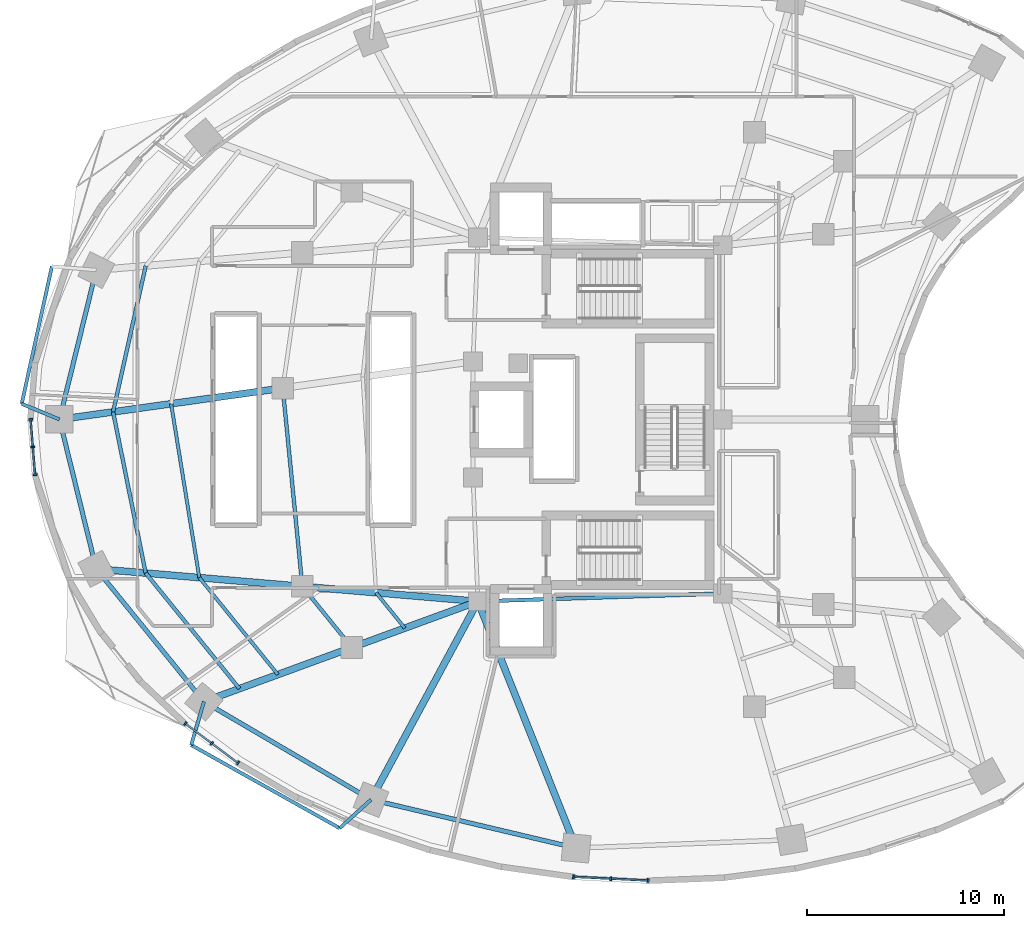
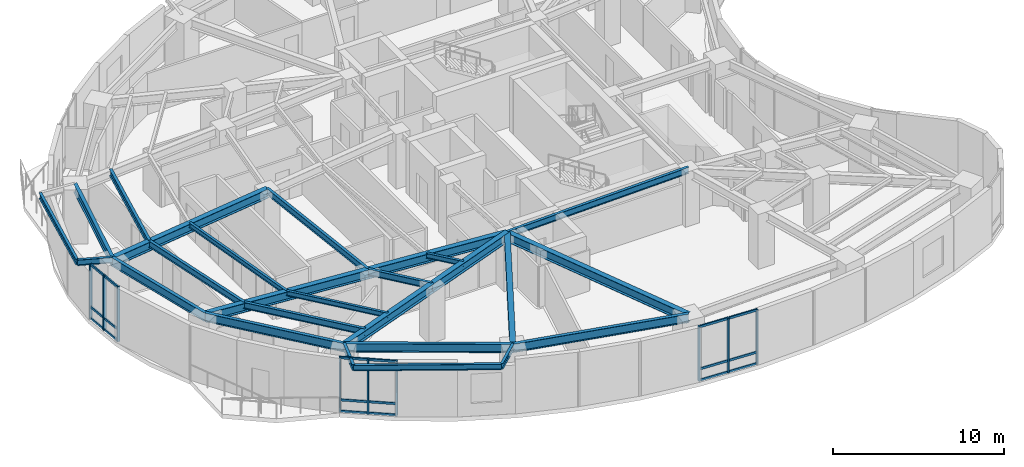
# One storey, part 2 of 15: 27 members, 26 beams, 3 elements without a shape of their own.
"""IFC4 building model written with IfcOpenShell, lengths in metres."""

import ifcopenshell
import ifcopenshell.guid

model = None  # the IFC model being written
_history = None  # IfcOwnerHistory: only IFC2X3 demands one
_inside = {}  # id of a spatial element -> (the spatial element, [elements in it])
_under = {}  # id of a project, library or spatial element -> (it, [spatial elements below it])
_declared = {}  # id of a project -> (the project, [libraries it declares])
_typed = {}  # id of a type object -> (the type object, [elements of that type])
_made_of = {}  # id of a material, layer set ... -> (it, [elements and type objects made of it])


def new_model(schema):
    """Start an empty IFC model of exactly this schema.

    Asked for "IFC4X3", IfcOpenShell would pick the latest addendum, in which some entities
    have other attributes; the version numbers below select the first issue.
    IFC2X3 requires an IfcOwnerHistory on every rooted entity: one is made here for all.
    """
    global model, _history
    if schema == "IFC4X3":
        model = ifcopenshell.file(schema_version=(4, 3, 0, 0))
    else:
        model = ifcopenshell.file(schema=schema)
    _inside.clear()
    _under.clear()
    _declared.clear()
    _typed.clear()
    _made_of.clear()
    _history = None
    if model.schema == "IFC2X3":
        org = make("IfcOrganization", Name="unknown")
        user = make(
            "IfcPersonAndOrganization",
            ThePerson=make("IfcPerson", FamilyName="unknown"),
            TheOrganization=org,
        )
        app = make(
            "IfcApplication",
            ApplicationDeveloper=org,
            Version="unknown",
            ApplicationFullName="unknown",
            ApplicationIdentifier="unknown",
        )
        _history = make(
            "IfcOwnerHistory",
            OwningUser=user,
            OwningApplication=app,
            ChangeAction="ADDED",
            CreationDate=0,
        )
    return model


def make(cls, **values):
    """One entity of the class cls with the attributes given. An attribute that is None is left unset."""
    return model.create_entity(
        cls, **{name: value for name, value in values.items() if value is not None}
    )


def rooted(cls, **values):
    """An entity with a GlobalId (a new one), such as an element, a storey or a relation."""
    return make(cls, GlobalId=ifcopenshell.guid.new(), OwnerHistory=_history, **values)


def si_unit(unit_type, name, prefix=None):
    """IfcSIUnit, for example si_unit("LENGTHUNIT", "METRE", prefix="MILLI")."""
    return make("IfcSIUnit", UnitType=unit_type, Prefix=prefix, Name=name)


def assignment(units):
    """IfcUnitAssignment: the units of a project."""
    return None if units is None else make("IfcUnitAssignment", Units=units)


def point(xyz):
    """IfcCartesianPoint."""
    return None if xyz is None else make("IfcCartesianPoint", Coordinates=xyz)


def direction(xyz):
    """IfcDirection."""
    return None if xyz is None else make("IfcDirection", DirectionRatios=xyz)


def frame(location, z_axis=None, x_axis=None):
    """IfcAxis2Placement3D, a coordinate frame: its origin and axes. An axis left out is left unset."""
    return make(
        "IfcAxis2Placement3D",
        Location=point(location),
        Axis=direction(z_axis),
        RefDirection=direction(x_axis),
    )


def frame_2d(location, x_axis=None):
    """IfcAxis2Placement2D, a coordinate frame in the plane: its origin and x axis."""
    return make(
        "IfcAxis2Placement2D", Location=point(location), RefDirection=direction(x_axis)
    )


def origin():
    """The frame at (0, 0, 0) with its axes left unset."""
    return frame((0.0, 0.0, 0.0))


def origin_2d():
    """The frame at (0, 0) in the plane with its x axis left unset."""
    return frame_2d((0.0, 0.0))


def place(relative_to, where):
    """IfcLocalPlacement: puts the frame where relative to a parent placement (None: the world)."""
    return make(
        "IfcLocalPlacement", PlacementRelTo=relative_to, RelativePlacement=where
    )


def context(
    kind, dimensions, precision=None, world=None, true_north=None, identifier=None
):
    """IfcGeometricRepresentationContext, for example the 3D "Model" context."""
    return make(
        "IfcGeometricRepresentationContext",
        ContextIdentifier=identifier,
        ContextType=kind,
        CoordinateSpaceDimension=dimensions,
        Precision=precision,
        WorldCoordinateSystem=world,
        TrueNorth=true_north,
    )


def subcontext(parent, identifier, kind, view, scale=None):
    """IfcGeometricRepresentationSubContext, for example "Body" below "Model"."""
    return make(
        "IfcGeometricRepresentationSubContext",
        ContextIdentifier=identifier,
        ContextType=kind,
        ParentContext=parent,
        TargetScale=scale,
        TargetView=view,
    )


def project(units=None, contexts=None):
    """IfcProject with its units and contexts."""
    return rooted(
        "IfcProject",
        Name="project",
        RepresentationContexts=contexts,
        UnitsInContext=assignment(units),
    )


def spatial(cls, under=None, at=None, **own):
    """A site, building, storey or space (cls), placed at a placement, below another one or the project."""
    s = rooted(cls, ObjectPlacement=at, **own)
    if under is not None:
        _under.setdefault(under.id(), (under, []))[1].append(s)
    return s


def profile(cls, at=None, kind="AREA", **sizes):
    """A parametric profile (cls). Its sizes go by their IFC names, for example OverallWidth=200.0."""
    return make(cls, ProfileType=kind, Position=at, **sizes)


def rectangle(**sizes):
    """IfcRectangleProfileDef."""
    return profile("IfcRectangleProfileDef", **sizes)


def i_section(**sizes):
    """IfcIShapeProfileDef."""
    return profile("IfcIShapeProfileDef", **sizes)


def extrude(swept, where, along, depth):
    """IfcExtrudedAreaSolid: the profile swept, set in the frame where, extruded along a direction by depth."""
    return make(
        "IfcExtrudedAreaSolid",
        SweptArea=swept,
        Position=where,
        ExtrudedDirection=direction(along),
        Depth=depth,
    )


def shape(context_of_items, identifier, shape_type, items):
    """IfcShapeRepresentation: the items that make up one representation, for example the "Body"."""
    return make(
        "IfcShapeRepresentation",
        ContextOfItems=context_of_items,
        RepresentationIdentifier=identifier,
        RepresentationType=shape_type,
        Items=items,
    )


def material(Name=None, Category=None):
    """IfcMaterial."""
    return make("IfcMaterial", Name=Name, Category=Category)


def layer(
    of_material, thickness, ventilated=None, Name=None, Category=None, Priority=None
):
    """IfcMaterialLayer: one layer of a wall or slab, of a material (None: an air gap)."""
    return make(
        "IfcMaterialLayer",
        Material=of_material,
        LayerThickness=thickness,
        IsVentilated=ventilated,
        Name=Name,
        Category=Category,
        Priority=Priority,
    )


def layer_set(layers, Name=None):
    """IfcMaterialLayerSet."""
    return make("IfcMaterialLayerSet", MaterialLayers=layers, LayerSetName=Name)


def material_profile(
    of_material, cross_section, Name=None, Category=None, Priority=None
):
    """IfcMaterialProfile: a cross section and its material."""
    return make(
        "IfcMaterialProfile",
        Name=Name,
        Material=of_material,
        Profile=cross_section,
        Priority=Priority,
        Category=Category,
    )


def profile_set(profiles, Name=None, composite=None):
    """IfcMaterialProfileSet."""
    return make(
        "IfcMaterialProfileSet",
        Name=Name,
        MaterialProfiles=profiles,
        CompositeProfile=composite,
    )


def made_of(thing, what):
    """Note that an element or type object is made of a material, layer set ...; save() writes the relation."""
    if what is not None:
        _made_of.setdefault(what.id(), (what, []))[1].append(thing)
    return thing


def type_object(cls, material=None, **own):
    """A type object (cls), such as IfcWallType, which elements share."""
    return made_of(rooted(cls, **own), material)


def element(
    cls,
    number,
    at=None,
    inside=None,
    cuts=None,
    type_object=None,
    material=None,
    context=None,
    identifier="Body",
    shape_type=None,
    held_by="IfcProductDefinitionShape",
    body=None,
    shapes=None,
    **own,
):
    """One element of the class cls, such as IfcWall. Its Tag is "e" and its number.

    at: its placement. inside: the storey or other place that contains it. cuts: it is an
    opening in that element (IfcRelVoidsElement). A single representation is given by context,
    identifier, shape_type and body (its items); several are given by shapes. held_by: the class
    of the entity that holds the representations. save() writes the other relations.
    """
    e = rooted(cls, Tag="e%d" % number, ObjectPlacement=at, **own)
    if body is not None:
        shapes = [shape(context, identifier, shape_type, body)]
    if shapes is not None:
        e.Representation = make(held_by, Representations=shapes)
    if inside is not None:
        _inside.setdefault(inside.id(), (inside, []))[1].append(e)
    if cuts is not None:
        rooted(
            "IfcRelVoidsElement", RelatingBuildingElement=cuts, RelatedOpeningElement=e
        )
    if type_object is not None:
        _typed.setdefault(type_object.id(), (type_object, []))[1].append(e)
    return made_of(e, material)


def aggregate(whole, parts):
    """IfcRelAggregates: a whole, such as a stair, and the parts it consists of."""
    return rooted("IfcRelAggregates", RelatingObject=whole, RelatedObjects=parts)


def save(model, path):
    """Write the relations noted so far, then the file.

    IfcRelAggregates (storeys below a building ...), IfcRelContainedInSpatialStructure (elements
    in a storey), IfcRelDefinesByType, IfcRelAssociatesMaterial and IfcRelDeclares: one each for
    every whole, place, type object, material and project.
    """
    for whole, parts in _under.values():
        aggregate(whole, parts)
    for where, things in _inside.values():
        rooted(
            "IfcRelContainedInSpatialStructure",
            RelatedElements=things,
            RelatingStructure=where,
        )
    for kind, things in _typed.values():
        rooted("IfcRelDefinesByType", RelatedObjects=things, RelatingType=kind)
    for what, things in _made_of.values():
        rooted("IfcRelAssociatesMaterial", RelatedObjects=things, RelatingMaterial=what)
    for by, libraries in _declared.values():
        rooted("IfcRelDeclares", RelatingContext=by, RelatedDefinitions=libraries)
    model.write(path)


model = new_model("IFC4")

# Units and contexts
model_context = context("Model", 3, precision=1e-05, world=origin(), true_north=direction((0.0, 1.0)))
body_context = subcontext(model_context, "Body", "Model", "MODEL_VIEW")
ifc_project = project(units=[si_unit("LENGTHUNIT", "METRE"), si_unit("AREAUNIT", "SQUARE_METRE"), si_unit("VOLUMEUNIT", "CUBIC_METRE"), si_unit("PLANEANGLEUNIT", "RADIAN"), si_unit("MASSUNIT", "GRAM", prefix="KILO")], contexts=[model_context])

# Site, building, storey
site_placement = place(None, origin())
site = spatial("IfcSite", under=ifc_project, at=site_placement, CompositionType="ELEMENT")
building_placement = place(site_placement, origin())
building = spatial("IfcBuilding", under=site, at=building_placement, Name="Korentha Bioscience Tower", CompositionType="ELEMENT")
storey_placement = place(building_placement, frame((0.0, 0.0, 30.0)))
storey = spatial("IfcBuildingStorey", under=building, at=storey_placement, Name="L06", CompositionType="ELEMENT", Elevation=30.0)

# Beams
ifc_material_1 = material(Name="Steel S355", Category="steel")
ifc_material_profile_1 = material_profile(ifc_material_1, i_section(OverallWidth=0.18994140625, OverallDepth=0.45703125, WebThickness=0.009033203125, FlangeThickness=0.014404296875, at=origin_2d()), Name="Steel S355")
ifc_profile_set_1 = profile_set([ifc_material_profile_1], Name="Steel S355 (MB-460)")
beam_type_1 = type_object("IfcBeamType", Name="Mid-Ring Tie Girder W460x74", PredefinedType="BEAM", material=ifc_profile_set_1)
beam_1_placement = place(storey_placement, frame((15.1787109375, 28.593505859375, 3.67138671875), z_axis=(0.098243909277, -0.995162365793, 0.0), x_axis=(0.995162365793, 0.098243909277, 0.0)))
element("IfcBeam", 1, at=beam_1_placement, inside=storey, type_object=beam_type_1, Name="L06 Mid-Ring Tie Girder 07", PredefinedType="BEAM", context=body_context, shape_type="SweptSolid", body=[
    extrude(i_section(OverallWidth=0.18994140625, OverallDepth=0.45703125, WebThickness=0.009033203125, FlangeThickness=0.014404296875, at=origin_2d()), origin(), (0.0, 0.0, 1.0), 10.131591796875),
])
beam_2_placement = place(storey_placement, frame((16.174072265625, 18.510986328125, 3.67138671875), z_axis=(0.629790009744, -0.776765436684, 0.0), x_axis=(0.776765436684, 0.629790009744, 0.0)))
element("IfcBeam", 2, at=beam_2_placement, inside=storey, type_object=beam_type_1, Name="L06 Mid-Ring Tie Girder 08", PredefinedType="BEAM", context=body_context, shape_type="SweptSolid", body=[
    extrude(i_section(OverallWidth=0.18994140625, OverallDepth=0.45703125, WebThickness=0.009033203125, FlangeThickness=0.014404296875, at=origin_2d()), origin(), (0.0, 0.0, 1.0), 3.998291015625),
])
beam_3_placement = place(storey_placement, frame((25.10009765625, 17.75, 3.67138671875), z_axis=(0.999484526071, 0.032104238723, 0.0), x_axis=(-0.032104238723, 0.999484526071, 0.0)))
element("IfcBeam", 3, at=beam_3_placement, inside=storey, type_object=beam_type_1, Name="L06 Core Ring Tie Girder 05", PredefinedType="BEAM", context=body_context, shape_type="SweptSolid", body=[
    extrude(i_section(OverallWidth=0.18994140625, OverallDepth=0.45703125, WebThickness=0.009033203125, FlangeThickness=0.014404296875, at=origin_2d()), origin(), (0.0, 0.0, 1.0), 12.456298828125),
])

# Curtain wall, members
ifc_material_2 = material(Name="Thermally Broken Aluminium Frame", Category="aluminium")
ifc_layer = layer(ifc_material_2, 0.219970703125, Name="Thermally Broken Aluminium Frame")
ifc_layer_set = layer_set([ifc_layer], Name="Thermally Broken Aluminium Frame (CW-T1)")
curtain_wall_type = type_object("IfcCurtainWallType", Name="Standard Bioscience Lab Unitised Curtain Wall CW-T1", PredefinedType="USERDEFINED", material=ifc_layer_set)
curtain_wall_1_placement = place(storey_placement, origin())
curtain_wall_1 = element("IfcCurtainWall", 4, at=curtain_wall_1_placement, inside=storey, type_object=curtain_wall_type, Name="L06 Curtain Wall 19", ObjectType="UNITISED", PredefinedType="USERDEFINED")
ifc_material_3 = material(Name="Anodised Aluminium 6063-T6", Category="aluminium")
ifc_material_profile_2 = material_profile(ifc_material_3, rectangle(XDim=0.090087890625, YDim=0.199951171875, at=origin_2d()), Name="Anodised Aluminium 6063-T6")
ifc_profile_set_2 = profile_set([ifc_material_profile_2], Name="Anodised Aluminium 6063-T6 (CW-MUL)")
member_type_1 = type_object("IfcMemberType", Name="Mullion RECT 90x200", PredefinedType="MULLION", material=ifc_profile_set_2)
member_1_placement = place(storey_placement, frame((2.35986328125, 27.0078125, 0.0), z_axis=(0.0, 0.0, 1.0), x_axis=(0.080820466375, -0.996728675325, 0.0)))
member_1 = element("IfcMember", 5, at=member_1_placement, type_object=member_type_1, Name="CW-L06-19 Mullion 1", PredefinedType="MULLION", context=body_context, shape_type="SweptSolid", body=[
    extrude(rectangle(XDim=0.090087890625, YDim=0.199951171875, at=origin_2d()), origin(), (0.0, 0.0, 1.0), 3.89990234375),
])
member_2_placement = place(storey_placement, frame((2.474365234375, 25.597412109375, 0.0), z_axis=(0.0, 0.0, 1.0), x_axis=(0.080820466375, -0.996728675325, 0.0)))
member_2 = element("IfcMember", 6, at=member_2_placement, type_object=member_type_1, Name="CW-L06-19 Mullion 2", PredefinedType="MULLION", context=body_context, shape_type="SweptSolid", body=[
    extrude(rectangle(XDim=0.090087890625, YDim=0.199951171875, at=origin_2d()), origin(), (0.0, 0.0, 1.0), 3.89990234375),
])
member_3_placement = place(storey_placement, frame((2.588623046875, 24.187255859375, 0.0), z_axis=(0.0, 0.0, 1.0), x_axis=(0.080820466375, -0.996728675325, 0.0)))
member_3 = element("IfcMember", 7, at=member_3_placement, type_object=member_type_1, Name="CW-L06-19 Mullion 3", PredefinedType="MULLION", context=body_context, shape_type="SweptSolid", body=[
    extrude(rectangle(XDim=0.090087890625, YDim=0.199951171875, at=origin_2d()), origin(), (0.0, 0.0, 1.0), 3.89990234375),
])

curtain_wall_2_placement = place(storey_placement, origin())
curtain_wall_2 = element("IfcCurtainWall", 8, at=curtain_wall_2_placement, inside=storey, type_object=curtain_wall_type, Name="L06 Curtain Wall 25", ObjectType="UNITISED", PredefinedType="USERDEFINED")
member_4_placement = place(storey_placement, frame((10.2216796875, 11.538818359375, 0.0), z_axis=(0.0, 0.0, 1.0), x_axis=(0.800797909614, -0.598934644145, 0.0)))
member_4 = element("IfcMember", 9, at=member_4_placement, type_object=member_type_1, Name="CW-L06-25 Mullion 1", PredefinedType="MULLION", context=body_context, shape_type="SweptSolid", body=[
    extrude(rectangle(XDim=0.090087890625, YDim=0.199951171875, at=origin_2d()), origin(), (0.0, 0.0, 1.0), 3.89990234375),
])
member_5_placement = place(storey_placement, frame((11.5634765625, 10.53515625, 0.0), z_axis=(0.0, 0.0, 1.0), x_axis=(0.800797909614, -0.598934644145, 0.0)))
member_5 = element("IfcMember", 10, at=member_5_placement, type_object=member_type_1, Name="CW-L06-25 Mullion 2", PredefinedType="MULLION", context=body_context, shape_type="SweptSolid", body=[
    extrude(rectangle(XDim=0.090087890625, YDim=0.199951171875, at=origin_2d()), origin(), (0.0, 0.0, 1.0), 3.89990234375),
])
member_6_placement = place(storey_placement, frame((12.9052734375, 9.53173828125, 0.0), z_axis=(0.0, 0.0, 1.0), x_axis=(0.800797909614, -0.598934644145, 0.0)))
member_6 = element("IfcMember", 11, at=member_6_placement, type_object=member_type_1, Name="CW-L06-25 Mullion 3", PredefinedType="MULLION", context=body_context, shape_type="SweptSolid", body=[
    extrude(rectangle(XDim=0.090087890625, YDim=0.199951171875, at=origin_2d()), origin(), (0.0, 0.0, 1.0), 3.89990234375),
])

curtain_wall_3_placement = place(storey_placement, origin())
curtain_wall_3 = element("IfcCurtainWall", 12, at=curtain_wall_3_placement, inside=storey, type_object=curtain_wall_type, Name="L06 Curtain Wall 31", ObjectType="UNITISED", PredefinedType="USERDEFINED")
member_7_placement = place(storey_placement, frame((29.9541015625, 3.75244140625, 0.0), z_axis=(0.0, 0.0, 1.0), x_axis=(0.998730551641, -0.050371472279, 0.0)))
member_7 = element("IfcMember", 13, at=member_7_placement, type_object=member_type_1, Name="CW-L06-31 Mullion 1", PredefinedType="MULLION", context=body_context, shape_type="SweptSolid", body=[
    extrude(rectangle(XDim=0.090087890625, YDim=0.199951171875, at=origin_2d()), origin(), (0.0, 0.0, 1.0), 3.89990234375),
])
member_8_placement = place(storey_placement, frame((31.855224609375, 3.656494140625, 0.0), z_axis=(0.0, 0.0, 1.0), x_axis=(0.998730551641, -0.050371472279, 0.0)))
member_8 = element("IfcMember", 14, at=member_8_placement, type_object=member_type_1, Name="CW-L06-31 Mullion 2", PredefinedType="MULLION", context=body_context, shape_type="SweptSolid", body=[
    extrude(rectangle(XDim=0.090087890625, YDim=0.199951171875, at=origin_2d()), origin(), (0.0, 0.0, 1.0), 3.89990234375),
])
member_9_placement = place(storey_placement, frame((33.75634765625, 3.560791015625, 0.0), z_axis=(0.0, 0.0, 1.0), x_axis=(0.998730551641, -0.050371472279, 0.0)))
member_9 = element("IfcMember", 15, at=member_9_placement, type_object=member_type_1, Name="CW-L06-31 Mullion 3", PredefinedType="MULLION", context=body_context, shape_type="SweptSolid", body=[
    extrude(rectangle(XDim=0.090087890625, YDim=0.199951171875, at=origin_2d()), origin(), (0.0, 0.0, 1.0), 3.89990234375),
])

# Beams
ifc_material_profile_3 = material_profile(ifc_material_1, i_section(OverallWidth=0.22802734375, OverallDepth=0.60791015625, WebThickness=0.01123046875, FlangeThickness=0.017333984375, at=origin_2d()), Name="Steel S355")
ifc_profile_set_3 = profile_set([ifc_material_profile_3], Name="Steel S355 (SB-610)")
beam_type_2 = type_object("IfcBeamType", Name="Perimeter Ring Spandrel Girder W610x113", PredefinedType="SPANDREL", material=ifc_profile_set_3)
beam_4_placement = place(storey_placement, frame((5.69580078125, 34.595703125, 3.595947265625), z_axis=(-0.239119105624, -0.970990243682, 0.0), x_axis=(0.970990243682, -0.239119105624, 0.0)))
element("IfcBeam", 16, at=beam_4_placement, inside=storey, type_object=beam_type_2, Name="L06 Perimeter Spandrel Girder 06", PredefinedType="SPANDREL", context=body_context, shape_type="SweptSolid", body=[
    extrude(i_section(OverallWidth=0.22802734375, OverallDepth=0.60791015625, WebThickness=0.01123046875, FlangeThickness=0.017333984375, at=origin_2d()), origin(), (0.0, 0.0, 1.0), 7.82177734375),
])
beam_5_placement = place(storey_placement, frame((3.825439453125, 27.000732421875, 3.595947265625), z_axis=(0.23907563132, -0.971000948768, 0.0), x_axis=(0.971000948768, 0.23907563132, 0.0)))
element("IfcBeam", 17, at=beam_5_placement, inside=storey, type_object=beam_type_2, Name="L06 Perimeter Spandrel Girder 07", PredefinedType="SPANDREL", context=body_context, shape_type="SweptSolid", body=[
    extrude(i_section(OverallWidth=0.22802734375, OverallDepth=0.60791015625, WebThickness=0.01123046875, FlangeThickness=0.017333984375, at=origin_2d()), origin(), (0.0, 0.0, 1.0), 7.8232421875),
])
beam_6_placement = place(storey_placement, frame((5.69580078125, 19.404296875, 3.595947265625), z_axis=(0.629799210231, -0.776757976974, 0.0), x_axis=(0.776757976974, 0.629799210231, 0.0)))
element("IfcBeam", 18, at=beam_6_placement, inside=storey, type_object=beam_type_2, Name="L06 Perimeter Spandrel Girder 08", PredefinedType="SPANDREL", context=body_context, shape_type="SweptSolid", body=[
    extrude(i_section(OverallWidth=0.22802734375, OverallDepth=0.60791015625, WebThickness=0.01123046875, FlangeThickness=0.017333984375, at=origin_2d()), origin(), (0.0, 0.0, 1.0), 8.69189453125),
])
beam_7_placement = place(storey_placement, frame((11.169921875, 12.65283203125, 3.595947265625), z_axis=(0.862656574181, -0.505790109653, 0.0), x_axis=(0.505790109653, 0.862656574181, 0.0)))
element("IfcBeam", 19, at=beam_7_placement, inside=storey, type_object=beam_type_2, Name="L06 Perimeter Spandrel Girder 09", PredefinedType="SPANDREL", context=body_context, shape_type="SweptSolid", body=[
    extrude(i_section(OverallWidth=0.22802734375, OverallDepth=0.60791015625, WebThickness=0.01123046875, FlangeThickness=0.017333984375, at=origin_2d()), origin(), (0.0, 0.0, 1.0), 9.849365234375),
])
beam_8_placement = place(storey_placement, frame((19.66650390625, 7.671142578125, 3.595947265625), z_axis=(0.973207885376, -0.229926970672, 0.0), x_axis=(0.229926970672, 0.973207885376, 0.0)))
element("IfcBeam", 20, at=beam_8_placement, inside=storey, type_object=beam_type_2, Name="L06 Perimeter Spandrel Girder 10", PredefinedType="SPANDREL", context=body_context, shape_type="SweptSolid", body=[
    extrude(i_section(OverallWidth=0.22802734375, OverallDepth=0.60791015625, WebThickness=0.01123046875, FlangeThickness=0.017333984375, at=origin_2d()), origin(), (0.0, 0.0, 1.0), 10.71484375),
])
ifc_material_profile_4 = material_profile(ifc_material_1, i_section(OverallWidth=0.18994140625, OverallDepth=0.45703125, WebThickness=0.009033203125, FlangeThickness=0.014404296875, at=origin_2d()), Name="Steel S355")
ifc_profile_set_4 = profile_set([ifc_material_profile_4], Name="Steel S355 (RB-460)")
beam_type_3 = type_object("IfcBeamType", Name="Radial Laboratory Beam W460x74", PredefinedType="BEAM", material=ifc_profile_set_4)
beam_9_placement = place(storey_placement, frame((8.21044921875, 34.81005859375, 3.67138671875), z_axis=(-0.218146323162, -0.975916073077, 0.0), x_axis=(0.975916073077, -0.218146323162, 0.0)))
element("IfcBeam", 21, at=beam_9_placement, inside=storey, type_object=beam_type_3, Name="L06 Secondary Floor Beam JSTO-06", PredefinedType="BEAM", context=body_context, shape_type="SweptSolid", body=[
    extrude(i_section(OverallWidth=0.18994140625, OverallDepth=0.45703125, WebThickness=0.009033203125, FlangeThickness=0.014404296875, at=origin_2d()), origin(), (0.0, 0.0, 1.0), 7.6103515625),
])
beam_10_placement = place(storey_placement, frame((6.55029296875, 27.383056640625, 3.67138671875), z_axis=(0.198592296955, -0.980082190222, 0.0), x_axis=(0.980082190222, 0.198592296955, 0.0)))
element("IfcBeam", 22, at=beam_10_placement, inside=storey, type_object=beam_type_3, Name="L06 Secondary Floor Beam JSTO-07", PredefinedType="BEAM", context=body_context, shape_type="SweptSolid", body=[
    extrude(i_section(OverallWidth=0.18994140625, OverallDepth=0.45703125, WebThickness=0.009033203125, FlangeThickness=0.014404296875, at=origin_2d()), origin(), (0.0, 0.0, 1.0), 8.359619140625),
])
beam_11_placement = place(storey_placement, frame((8.21044921875, 19.18994140625, 3.67138671875), z_axis=(0.629797748553, -0.776759162107, 0.0), x_axis=(0.776759162107, 0.629797748553, 0.0)))
element("IfcBeam", 23, at=beam_11_placement, inside=storey, type_object=beam_type_3, Name="L06 Secondary Floor Beam JSTO-08", PredefinedType="BEAM", context=body_context, shape_type="SweptSolid", body=[
    extrude(i_section(OverallWidth=0.18994140625, OverallDepth=0.45703125, WebThickness=0.009033203125, FlangeThickness=0.014404296875, at=origin_2d()), origin(), (0.0, 0.0, 1.0), 7.5654296875),
])
ifc_material_profile_5 = material_profile(ifc_material_1, i_section(OverallWidth=0.35009765625, OverallDepth=0.64990234375, WebThickness=0.01611328125, FlangeThickness=0.02490234375, at=origin_2d()), Name="Steel S355")
ifc_profile_set_5 = profile_set([ifc_material_profile_5], Name="Steel S355 (RB-650)")
beam_type_4 = type_object("IfcBeamType", Name="Radial Laboratory Girder CVS 650x208", PredefinedType="BEAM", material=ifc_profile_set_5)
beam_12_placement = place(storey_placement, frame((15.1787109375, 28.593505859375, 3.574951171875), z_axis=(-0.99030199745, -0.138931471762, 0.0), x_axis=(0.138931471762, -0.99030199745, 0.0)))
element("IfcBeam", 24, at=beam_12_placement, inside=storey, type_object=beam_type_4, Name="L06 Outer Radial Girder 07", PredefinedType="BEAM", context=body_context, shape_type="SweptSolid", body=[
    extrude(i_section(OverallWidth=0.35009765625, OverallDepth=0.64990234375, WebThickness=0.01611328125, FlangeThickness=0.02490234375, at=origin_2d()), origin(), (0.0, 0.0, 1.0), 11.46435546875),
])
beam_13_placement = place(storey_placement, frame((25.10009765625, 17.75, 3.574951171875), z_axis=(-0.996385503026, 0.08494662654, 0.0), x_axis=(-0.08494662654, -0.996385503026, 0.0)))
element("IfcBeam", 25, at=beam_13_placement, inside=storey, type_object=beam_type_4, Name="L06 Inner Radial Girder 08", PredefinedType="BEAM", context=body_context, shape_type="SweptSolid", body=[
    extrude(i_section(OverallWidth=0.35009765625, OverallDepth=0.64990234375, WebThickness=0.01611328125, FlangeThickness=0.02490234375, at=origin_2d()), origin(), (0.0, 0.0, 1.0), 8.95849609375),
])
beam_14_placement = place(storey_placement, frame((16.174072265625, 18.510986328125, 3.574951171875), z_axis=(-0.996385601055, 0.084945476695, 0.0), x_axis=(-0.084945476695, -0.996385601055, 0.0)))
element("IfcBeam", 26, at=beam_14_placement, inside=storey, type_object=beam_type_4, Name="L06 Outer Radial Girder 08", PredefinedType="BEAM", context=body_context, shape_type="SweptSolid", body=[
    extrude(i_section(OverallWidth=0.35009765625, OverallDepth=0.64990234375, WebThickness=0.01611328125, FlangeThickness=0.02490234375, at=origin_2d()), origin(), (0.0, 0.0, 1.0), 10.516357421875),
])
beam_15_placement = place(storey_placement, frame((25.10009765625, 17.75, 3.574951171875), z_axis=(-0.939106237741, -0.343626940498, 0.0), x_axis=(0.343626940498, -0.939106237741, 0.0)))
element("IfcBeam", 27, at=beam_15_placement, inside=storey, type_object=beam_type_4, Name="L06 Inner Radial Girder 09", PredefinedType="BEAM", context=body_context, shape_type="SweptSolid", body=[
    extrude(i_section(OverallWidth=0.35009765625, OverallDepth=0.64990234375, WebThickness=0.01611328125, FlangeThickness=0.02490234375, at=origin_2d()), origin(), (0.0, 0.0, 1.0), 6.823486328125),
])
beam_16_placement = place(storey_placement, frame((18.692138671875, 15.4052734375, 3.574951171875), z_axis=(-0.939106299948, -0.343626770491, 0.0), x_axis=(0.343626770491, -0.939106299948, 0.0)))
element("IfcBeam", 28, at=beam_16_placement, inside=storey, type_object=beam_type_4, Name="L06 Outer Radial Girder 09", PredefinedType="BEAM", context=body_context, shape_type="SweptSolid", body=[
    extrude(i_section(OverallWidth=0.35009765625, OverallDepth=0.64990234375, WebThickness=0.01611328125, FlangeThickness=0.02490234375, at=origin_2d()), origin(), (0.0, 0.0, 1.0), 8.010009765625),
])
beam_17_placement = place(storey_placement, frame((25.10009765625, 17.75, 3.574951171875), z_axis=(-0.47454097106, -0.880233416081, 0.0), x_axis=(0.880233416081, -0.47454097106, 0.0)))
element("IfcBeam", 29, at=beam_17_placement, inside=storey, type_object=beam_type_4, Name="L06 Radial Girder 10", PredefinedType="BEAM", context=body_context, shape_type="SweptSolid", body=[
    extrude(i_section(OverallWidth=0.35009765625, OverallDepth=0.64990234375, WebThickness=0.01611328125, FlangeThickness=0.02490234375, at=origin_2d()), origin(), (0.0, 0.0, 1.0), 11.4501953125),
])
beam_18_placement = place(storey_placement, frame((25.10009765625, 17.75, 3.574951171875), z_axis=(0.369931007413, -0.929059228335, 0.0), x_axis=(0.929059228335, 0.369931007413, 0.0)))
element("IfcBeam", 30, at=beam_18_placement, inside=storey, type_object=beam_type_4, Name="L06 Radial Girder 11", PredefinedType="BEAM", context=body_context, shape_type="SweptSolid", body=[
    extrude(i_section(OverallWidth=0.35009765625, OverallDepth=0.64990234375, WebThickness=0.01611328125, FlangeThickness=0.02490234375, at=origin_2d()), origin(), (0.0, 0.0, 1.0), 13.500244140625),
])
ifc_material_profile_6 = material_profile(ifc_material_1, i_section(OverallWidth=0.1708984375, OverallDepth=0.35498046875, WebThickness=0.007080078125, FlangeThickness=0.01171875, at=origin_2d()), Name="Steel S355")
ifc_profile_set_6 = profile_set([ifc_material_profile_6], Name="Steel S355 (JB-360)")
beam_type_5 = type_object("IfcBeamType", Name="Secondary Laboratory Joist W360x51", PredefinedType="JOIST", material=ifc_profile_set_6)
beam_19_placement = place(storey_placement, frame((9.502197265625, 27.797119140625, 3.722412109375), z_axis=(0.159984999905, -0.987119445561, 0.0), x_axis=(0.987119445561, 0.159984999905, 0.0)))
element("IfcBeam", 31, at=beam_19_placement, inside=storey, type_object=beam_type_5, Name="L06 Secondary Floor Beam JST-07", PredefinedType="JOIST", context=body_context, shape_type="SweptSolid", body=[
    extrude(i_section(OverallWidth=0.1708984375, OverallDepth=0.35498046875, WebThickness=0.007080078125, FlangeThickness=0.01171875, at=origin_2d()), origin(), (0.0, 0.0, 1.0), 8.95458984375),
])
beam_20_placement = place(storey_placement, frame((10.934814453125, 18.957763671875, 3.722412109375), z_axis=(0.629786899984, -0.776767958021, 0.0), x_axis=(0.776767958021, 0.629786899984, 0.0)))
element("IfcBeam", 32, at=beam_20_placement, inside=storey, type_object=beam_type_5, Name="L06 Secondary Floor Beam JST-08", PredefinedType="JOIST", context=body_context, shape_type="SweptSolid", body=[
    extrude(i_section(OverallWidth=0.1708984375, OverallDepth=0.35498046875, WebThickness=0.007080078125, FlangeThickness=0.01171875, at=origin_2d()), origin(), (0.0, 0.0, 1.0), 6.34521484375),
])
beam_21_placement = place(storey_placement, frame((19.9228515625, 18.19140625, 3.722412109375), z_axis=(0.629791657613, -0.776764100613, 0.0), x_axis=(0.776764100613, 0.629791657613, 0.0)))
element("IfcBeam", 33, at=beam_21_placement, inside=storey, type_object=beam_type_5, Name="L06 Inner Bay Joist 08", PredefinedType="JOIST", context=body_context, shape_type="SweptSolid", body=[
    extrude(i_section(OverallWidth=0.1708984375, OverallDepth=0.35498046875, WebThickness=0.007080078125, FlangeThickness=0.01171875, at=origin_2d()), origin(), (0.0, 0.0, 1.0), 2.31884765625),
])
ifc_material_profile_7 = material_profile(ifc_material_1, i_section(OverallWidth=0.177978515625, OverallDepth=0.406982421875, WebThickness=0.0078125, FlangeThickness=0.0126953125, at=origin_2d()), Name="Steel S355")
ifc_profile_set_7 = profile_set([ifc_material_profile_7], Name="Steel S355 (CB-410)")
beam_type_6 = type_object("IfcBeamType", Name="Sun-Ledge Cantilever Beam W410x60", PredefinedType="BEAM", material=ifc_profile_set_7)
beam_22_placement = place(storey_placement, frame((3.825439453125, 27.000732421875, 3.698486328125), z_axis=(-0.924185686215, 0.381943474084, 0.0), x_axis=(-0.381943474084, -0.924185686215, 0.0)))
element("IfcBeam", 34, at=beam_22_placement, inside=storey, type_object=beam_type_6, Name="L06 Balcony Cantilever Bracket B-L07-02", PredefinedType="BEAM", context=body_context, shape_type="SweptSolid", body=[
    extrude(i_section(OverallWidth=0.177978515625, OverallDepth=0.406982421875, WebThickness=0.0078125, FlangeThickness=0.0126953125, at=origin_2d()), origin(), (0.0, 0.0, 1.0), 2.077392578125),
])
beam_23_placement = place(storey_placement, frame((3.44140625, 34.7802734375, 3.698486328125), z_axis=(-0.214721790189, -0.976675254533, 0.0), x_axis=(0.976675254533, -0.214721790189, 0.0)))
element("IfcBeam", 35, at=beam_23_placement, inside=storey, type_object=beam_type_6, Name="L06 Balcony Edge Trimmer Beam L07-02", PredefinedType="BEAM", context=body_context, shape_type="SweptSolid", body=[
    extrude(i_section(OverallWidth=0.177978515625, OverallDepth=0.406982421875, WebThickness=0.0078125, FlangeThickness=0.0126953125, at=origin_2d()), origin(), (0.0, 0.0, 1.0), 7.15283203125),
])
beam_24_placement = place(storey_placement, frame((11.169921875, 12.65283203125, 3.698486328125), z_axis=(-0.28141880948, -0.959585042438, 0.0), x_axis=(0.959585042438, -0.28141880948, 0.0)))
element("IfcBeam", 36, at=beam_24_placement, inside=storey, type_object=beam_type_6, Name="L06 Balcony Cantilever Bracket A-L07-03", PredefinedType="BEAM", context=body_context, shape_type="SweptSolid", body=[
    extrude(i_section(OverallWidth=0.177978515625, OverallDepth=0.406982421875, WebThickness=0.0078125, FlangeThickness=0.0126953125, at=origin_2d()), origin(), (0.0, 0.0, 1.0), 2.299072265625),
])
beam_25_placement = place(storey_placement, frame((19.66650390625, 7.671142578125, 3.698486328125), z_axis=(-0.739345401474, -0.673326352759, 0.0), x_axis=(0.673326352759, -0.739345401474, 0.0)))
element("IfcBeam", 37, at=beam_25_placement, inside=storey, type_object=beam_type_6, Name="L06 Balcony Cantilever Bracket B-L07-03", PredefinedType="BEAM", context=body_context, shape_type="SweptSolid", body=[
    extrude(i_section(OverallWidth=0.177978515625, OverallDepth=0.406982421875, WebThickness=0.0078125, FlangeThickness=0.0126953125, at=origin_2d()), origin(), (0.0, 0.0, 1.0), 2.156005859375),
])
beam_26_placement = place(storey_placement, frame((10.52294921875, 10.44677734375, 3.698486328125), z_axis=(0.872528629193, -0.488562985948, 0.0), x_axis=(0.488562985948, 0.872528629193, 0.0)))
element("IfcBeam", 38, at=beam_26_placement, inside=storey, type_object=beam_type_6, Name="L06 Balcony Edge Trimmer Beam L07-03", PredefinedType="BEAM", context=body_context, shape_type="SweptSolid", body=[
    extrude(i_section(OverallWidth=0.177978515625, OverallDepth=0.406982421875, WebThickness=0.0078125, FlangeThickness=0.0126953125, at=origin_2d()), origin(), (0.0, 0.0, 1.0), 8.652587890625),
])

# Member
ifc_material_profile_8 = material_profile(ifc_material_3, rectangle(XDim=0.090087890625, YDim=0.159912109375, at=origin_2d()), Name="Anodised Aluminium 6063-T6")
ifc_profile_set_8 = profile_set([ifc_material_profile_8], Name="Anodised Aluminium 6063-T6 (CW-TRN)")
member_type_2 = type_object("IfcMemberType", Name="Transom RECT 90x160", PredefinedType="USERDEFINED", material=ifc_profile_set_8)
member_10_placement = place(storey_placement, frame((2.363525390625, 26.963134765625, 0.044921875), z_axis=(0.080880177847, -0.996723831777, 0.0), x_axis=(0.996723831777, 0.080880177847, 0.0)))
member_10 = element("IfcMember", 39, at=member_10_placement, type_object=member_type_2, Name="CW-L06-19 Bay 1 Transom 1", ObjectType="TRANSOM", PredefinedType="USERDEFINED", context=body_context, shape_type="SweptSolid", body=[
    extrude(rectangle(XDim=0.090087890625, YDim=0.159912109375, at=origin_2d()), origin(), (0.0, 0.0, 1.0), 1.3251953125),
])

member_11_placement = place(storey_placement, frame((2.363525390625, 26.963134765625, 0.85009765625), z_axis=(0.080880177847, -0.996723831777, 0.0), x_axis=(0.996723831777, 0.080880177847, 0.0)))
member_11 = element("IfcMember", 40, at=member_11_placement, type_object=member_type_2, Name="CW-L06-19 Bay 1 Transom 2", ObjectType="TRANSOM", PredefinedType="USERDEFINED", context=body_context, shape_type="SweptSolid", body=[
    extrude(rectangle(XDim=0.090087890625, YDim=0.159912109375, at=origin_2d()), origin(), (0.0, 0.0, 1.0), 1.3251953125),
])

member_12_placement = place(storey_placement, frame((2.363525390625, 26.963134765625, 3.85498046875), z_axis=(0.080880177847, -0.996723831777, 0.0), x_axis=(0.996723831777, 0.080880177847, 0.0)))
member_12 = element("IfcMember", 41, at=member_12_placement, type_object=member_type_2, Name="CW-L06-19 Bay 1 Transom 3", ObjectType="TRANSOM", PredefinedType="USERDEFINED", context=body_context, shape_type="SweptSolid", body=[
    extrude(rectangle(XDim=0.090087890625, YDim=0.159912109375, at=origin_2d()), origin(), (0.0, 0.0, 1.0), 1.3251953125),
])

member_13_placement = place(storey_placement, frame((2.477783203125, 25.552734375, 0.044921875), z_axis=(0.080880177847, -0.996723831777, 0.0), x_axis=(0.996723831777, 0.080880177847, 0.0)))
member_13 = element("IfcMember", 42, at=member_13_placement, type_object=member_type_2, Name="CW-L06-19 Bay 2 Transom 1", ObjectType="TRANSOM", PredefinedType="USERDEFINED", context=body_context, shape_type="SweptSolid", body=[
    extrude(rectangle(XDim=0.090087890625, YDim=0.159912109375, at=origin_2d()), origin(), (0.0, 0.0, 1.0), 1.3251953125),
])

member_14_placement = place(storey_placement, frame((2.477783203125, 25.552734375, 0.85009765625), z_axis=(0.080880177847, -0.996723831777, 0.0), x_axis=(0.996723831777, 0.080880177847, 0.0)))
member_14 = element("IfcMember", 43, at=member_14_placement, type_object=member_type_2, Name="CW-L06-19 Bay 2 Transom 2", ObjectType="TRANSOM", PredefinedType="USERDEFINED", context=body_context, shape_type="SweptSolid", body=[
    extrude(rectangle(XDim=0.090087890625, YDim=0.159912109375, at=origin_2d()), origin(), (0.0, 0.0, 1.0), 1.3251953125),
])

member_15_placement = place(storey_placement, frame((2.477783203125, 25.552734375, 3.85498046875), z_axis=(0.080880177847, -0.996723831777, 0.0), x_axis=(0.996723831777, 0.080880177847, 0.0)))
member_15 = element("IfcMember", 44, at=member_15_placement, type_object=member_type_2, Name="CW-L06-19 Bay 2 Transom 3", ObjectType="TRANSOM", PredefinedType="USERDEFINED", context=body_context, shape_type="SweptSolid", body=[
    extrude(rectangle(XDim=0.090087890625, YDim=0.159912109375, at=origin_2d()), origin(), (0.0, 0.0, 1.0), 1.3251953125),
])

aggregate(curtain_wall_1, [member_1, member_2, member_3, member_10, member_11, member_12, member_13, member_14, member_15])

member_16_placement = place(storey_placement, frame((10.2578125, 11.51171875, 0.044921875), z_axis=(0.8008676283, -0.598841416354, 0.0), x_axis=(0.598841416354, 0.8008676283, 0.0)))
member_16 = element("IfcMember", 45, at=member_16_placement, type_object=member_type_2, Name="CW-L06-25 Bay 1 Transom 1", ObjectType="TRANSOM", PredefinedType="USERDEFINED", context=body_context, shape_type="SweptSolid", body=[
    extrude(rectangle(XDim=0.090087890625, YDim=0.159912109375, at=origin_2d()), origin(), (0.0, 0.0, 1.0), 1.58544921875),
])

member_17_placement = place(storey_placement, frame((10.2578125, 11.51171875, 0.85009765625), z_axis=(0.8008676283, -0.598841416354, 0.0), x_axis=(0.598841416354, 0.8008676283, 0.0)))
member_17 = element("IfcMember", 46, at=member_17_placement, type_object=member_type_2, Name="CW-L06-25 Bay 1 Transom 2", ObjectType="TRANSOM", PredefinedType="USERDEFINED", context=body_context, shape_type="SweptSolid", body=[
    extrude(rectangle(XDim=0.090087890625, YDim=0.159912109375, at=origin_2d()), origin(), (0.0, 0.0, 1.0), 1.58544921875),
])

member_18_placement = place(storey_placement, frame((10.2578125, 11.51171875, 3.85498046875), z_axis=(0.8008676283, -0.598841416354, 0.0), x_axis=(0.598841416354, 0.8008676283, 0.0)))
member_18 = element("IfcMember", 47, at=member_18_placement, type_object=member_type_2, Name="CW-L06-25 Bay 1 Transom 3", ObjectType="TRANSOM", PredefinedType="USERDEFINED", context=body_context, shape_type="SweptSolid", body=[
    extrude(rectangle(XDim=0.090087890625, YDim=0.159912109375, at=origin_2d()), origin(), (0.0, 0.0, 1.0), 1.58544921875),
])

member_19_placement = place(storey_placement, frame((11.599609375, 10.50830078125, 0.044921875), z_axis=(0.800738536228, -0.59901402037, 0.0), x_axis=(0.59901402037, 0.800738536228, 0.0)))
member_19 = element("IfcMember", 48, at=member_19_placement, type_object=member_type_2, Name="CW-L06-25 Bay 2 Transom 1", ObjectType="TRANSOM", PredefinedType="USERDEFINED", context=body_context, shape_type="SweptSolid", body=[
    extrude(rectangle(XDim=0.090087890625, YDim=0.159912109375, at=origin_2d()), origin(), (0.0, 0.0, 1.0), 1.58544921875),
])

member_20_placement = place(storey_placement, frame((11.599609375, 10.50830078125, 0.85009765625), z_axis=(0.800738536228, -0.59901402037, 0.0), x_axis=(0.59901402037, 0.800738536228, 0.0)))
member_20 = element("IfcMember", 49, at=member_20_placement, type_object=member_type_2, Name="CW-L06-25 Bay 2 Transom 2", ObjectType="TRANSOM", PredefinedType="USERDEFINED", context=body_context, shape_type="SweptSolid", body=[
    extrude(rectangle(XDim=0.090087890625, YDim=0.159912109375, at=origin_2d()), origin(), (0.0, 0.0, 1.0), 1.58544921875),
])

member_21_placement = place(storey_placement, frame((11.599609375, 10.50830078125, 3.85498046875), z_axis=(0.800738536228, -0.59901402037, 0.0), x_axis=(0.59901402037, 0.800738536228, 0.0)))
member_21 = element("IfcMember", 50, at=member_21_placement, type_object=member_type_2, Name="CW-L06-25 Bay 2 Transom 3", ObjectType="TRANSOM", PredefinedType="USERDEFINED", context=body_context, shape_type="SweptSolid", body=[
    extrude(rectangle(XDim=0.090087890625, YDim=0.159912109375, at=origin_2d()), origin(), (0.0, 0.0, 1.0), 1.58544921875),
])

aggregate(curtain_wall_2, [member_4, member_5, member_6, member_16, member_17, member_18, member_19, member_20, member_21])

member_22_placement = place(storey_placement, frame((29.9990234375, 3.750244140625, 0.044921875), z_axis=(0.998731776836, -0.050347174085, 0.0), x_axis=(0.050347174085, 0.998731776836, 0.0)))
member_22 = element("IfcMember", 51, at=member_22_placement, type_object=member_type_2, Name="CW-L06-31 Bay 1 Transom 1", ObjectType="TRANSOM", PredefinedType="USERDEFINED", context=body_context, shape_type="SweptSolid", body=[
    extrude(rectangle(XDim=0.090087890625, YDim=0.159912109375, at=origin_2d()), origin(), (0.0, 0.0, 1.0), 1.8134765625),
])

member_23_placement = place(storey_placement, frame((29.9990234375, 3.750244140625, 0.85009765625), z_axis=(0.998731776836, -0.050347174085, 0.0), x_axis=(0.050347174085, 0.998731776836, 0.0)))
member_23 = element("IfcMember", 52, at=member_23_placement, type_object=member_type_2, Name="CW-L06-31 Bay 1 Transom 2", ObjectType="TRANSOM", PredefinedType="USERDEFINED", context=body_context, shape_type="SweptSolid", body=[
    extrude(rectangle(XDim=0.090087890625, YDim=0.159912109375, at=origin_2d()), origin(), (0.0, 0.0, 1.0), 1.8134765625),
])

member_24_placement = place(storey_placement, frame((29.9990234375, 3.750244140625, 3.85498046875), z_axis=(0.998731776836, -0.050347174085, 0.0), x_axis=(0.050347174085, 0.998731776836, 0.0)))
member_24 = element("IfcMember", 53, at=member_24_placement, type_object=member_type_2, Name="CW-L06-31 Bay 1 Transom 3", ObjectType="TRANSOM", PredefinedType="USERDEFINED", context=body_context, shape_type="SweptSolid", body=[
    extrude(rectangle(XDim=0.090087890625, YDim=0.159912109375, at=origin_2d()), origin(), (0.0, 0.0, 1.0), 1.8134765625),
])

member_25_placement = place(storey_placement, frame((31.900146484375, 3.654296875, 0.044921875), z_axis=(0.998731776836, -0.050347174085, 0.0), x_axis=(0.050347174085, 0.998731776836, 0.0)))
member_25 = element("IfcMember", 54, at=member_25_placement, type_object=member_type_2, Name="CW-L06-31 Bay 2 Transom 1", ObjectType="TRANSOM", PredefinedType="USERDEFINED", context=body_context, shape_type="SweptSolid", body=[
    extrude(rectangle(XDim=0.090087890625, YDim=0.159912109375, at=origin_2d()), origin(), (0.0, 0.0, 1.0), 1.8134765625),
])

member_26_placement = place(storey_placement, frame((31.900146484375, 3.654296875, 0.85009765625), z_axis=(0.998731776836, -0.050347174085, 0.0), x_axis=(0.050347174085, 0.998731776836, 0.0)))
member_26 = element("IfcMember", 55, at=member_26_placement, type_object=member_type_2, Name="CW-L06-31 Bay 2 Transom 2", ObjectType="TRANSOM", PredefinedType="USERDEFINED", context=body_context, shape_type="SweptSolid", body=[
    extrude(rectangle(XDim=0.090087890625, YDim=0.159912109375, at=origin_2d()), origin(), (0.0, 0.0, 1.0), 1.8134765625),
])

member_27_placement = place(storey_placement, frame((31.900146484375, 3.654296875, 3.85498046875), z_axis=(0.998731776836, -0.050347174085, 0.0), x_axis=(0.050347174085, 0.998731776836, 0.0)))
member_27 = element("IfcMember", 56, at=member_27_placement, type_object=member_type_2, Name="CW-L06-31 Bay 2 Transom 3", ObjectType="TRANSOM", PredefinedType="USERDEFINED", context=body_context, shape_type="SweptSolid", body=[
    extrude(rectangle(XDim=0.090087890625, YDim=0.159912109375, at=origin_2d()), origin(), (0.0, 0.0, 1.0), 1.8134765625),
])

aggregate(curtain_wall_3, [member_7, member_8, member_9, member_22, member_23, member_24, member_25, member_26, member_27])

save(model, "model.ifc")
